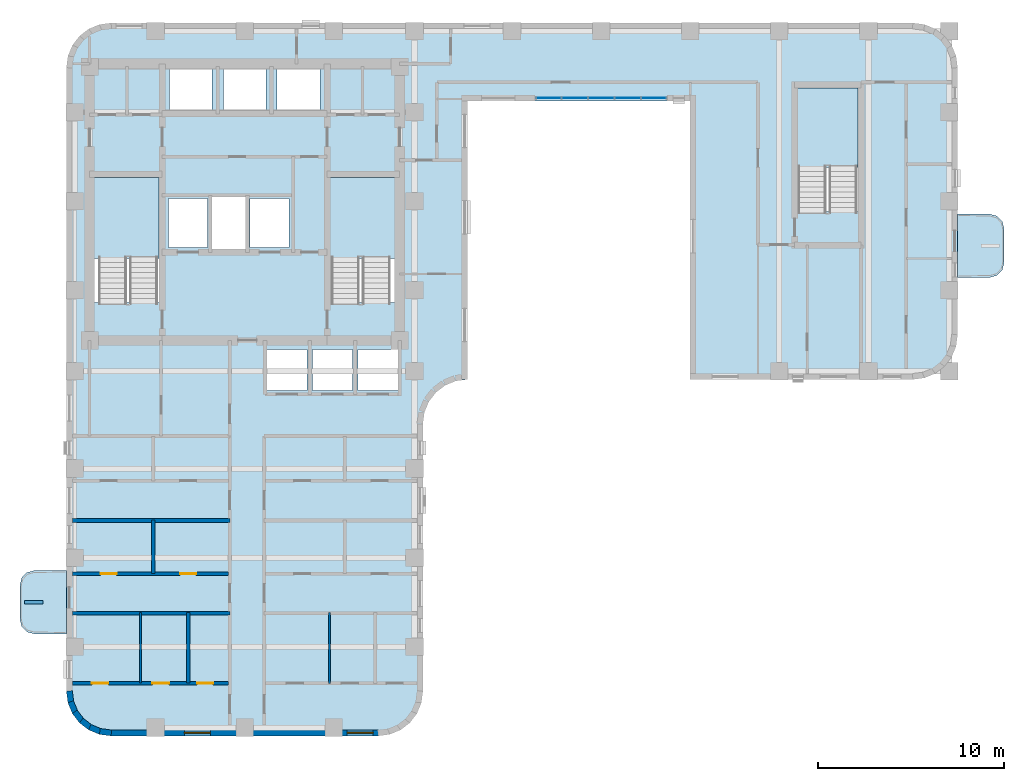
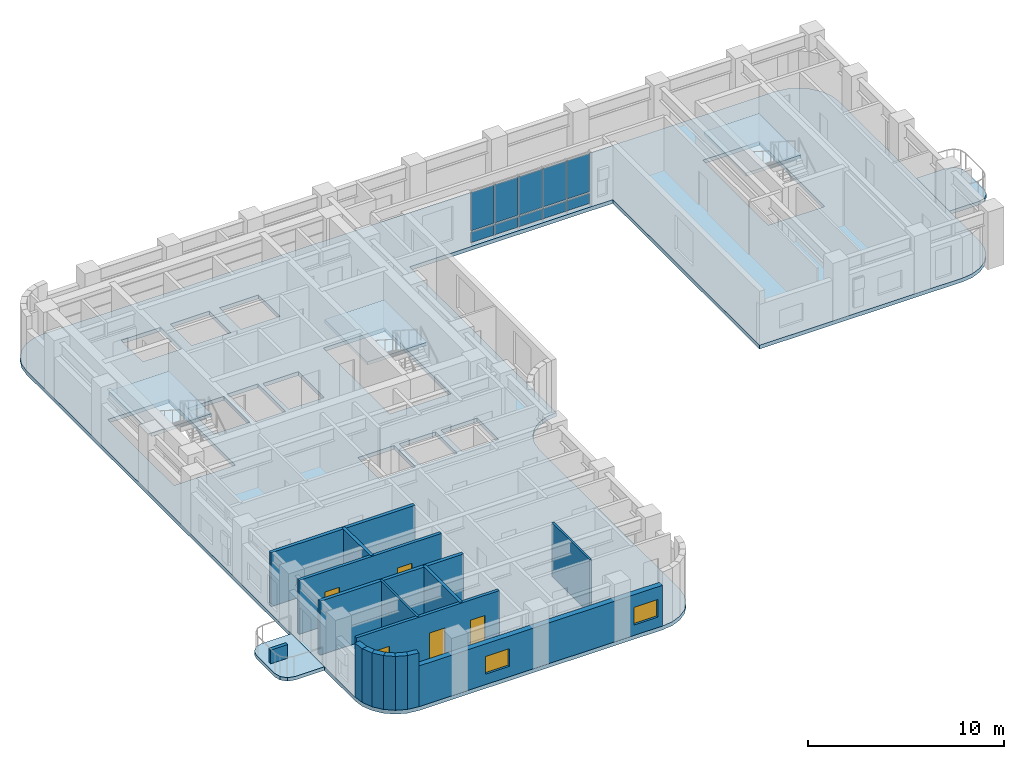
# One storey, part 3 of 11: 16 walls, 10 plates, 6 slabs, 5 doors, 2 windows, 7 openings, 4 elements without a shape of their own.
"""IFC4 building model written with IfcOpenShell, lengths in metres."""

from ifc_helpers import new_model, si_unit, direction, frame, frame_2d, origin, origin_2d, place, context, subcontext, project, spatial, polyline, rectangle, outline, extrude, material, layer, layer_set, type_object, element, fill, aggregate, save


model = new_model("IFC4")

# Units and contexts
model_context = context("Model", 3, precision=1e-05, world=origin(), true_north=direction((0.0, 1.0)))
body_context = subcontext(model_context, "Body", "Model", "MODEL_VIEW")
ifc_project = project(units=[si_unit("LENGTHUNIT", "METRE"), si_unit("AREAUNIT", "SQUARE_METRE"), si_unit("VOLUMEUNIT", "CUBIC_METRE"), si_unit("PLANEANGLEUNIT", "RADIAN"), si_unit("MASSUNIT", "GRAM", prefix="KILO")], contexts=[model_context])

# Site, building, storey
site_placement = place(None, origin())
site = spatial("IfcSite", under=ifc_project, at=site_placement, CompositionType="ELEMENT")
building_placement = place(site_placement, origin())
building = spatial("IfcBuilding", under=site, at=building_placement, Name="Orvandelia Arch Residences", CompositionType="ELEMENT")
storey_placement = place(building_placement, frame((0.0, 0.0, 164.800048828125)))
storey = spatial("IfcBuildingStorey", under=building, at=storey_placement, Name="L43", CompositionType="ELEMENT", Elevation=164.800048828125)

# Curtain wall, plates
ifc_material_1 = material(Name="Anodised Bronze Curtain Wall Assembly")
curtain_wall_type = type_object("IfcCurtainWallType", Name="CW-SYS4-PORTAL", PredefinedType="NOTDEFINED", material=ifc_material_1)
curtain_wall_placement = place(storey_placement, origin())
curtain_wall = element("IfcCurtainWall", 1, at=curtain_wall_placement, inside=storey, type_object=curtain_wall_type, Name="Void-Portal Bridge Curtain Wall L43 1", PredefinedType="NOTDEFINED")
ifc_material_2 = material(Name="Insulated Bronze Aluminium Spandrel Panel", Category="aluminium")
ifc_layer_1 = layer(ifc_material_2, 0.0400390625, Name="Insulated Bronze Aluminium Spandrel Panel", Category="aluminium")
ifc_layer_set_1 = layer_set([ifc_layer_1], Name="Insulated Bronze Aluminium Spandrel Panel")
plate_type_1 = type_object("IfcPlateType", Name="CW-PANEL-SPANDREL", PredefinedType="SHEET", material=ifc_layer_set_1)
plate_1_placement = place(storey_placement, frame((30.77197265625, 43.9599609375, 0.125), z_axis=(0.0, 0.0, 1.0), x_axis=(1.0, 0.0, 0.0)))
plate_1 = element("IfcPlate", 2, at=plate_1_placement, type_object=plate_type_1, Name="Curtain Wall Spandrel Panel CW-L43-1-PS1", PredefinedType="SHEET", context=body_context, shape_type="SweptSolid", body=[
    extrude(rectangle(XDim=1.333984375, YDim=0.0400390625, at=origin_2d()), origin(), (0.0, 0.0, 1.0), 0.62646484375),
])
plate_2_placement = place(storey_placement, frame((32.176025390625, 43.9599609375, 0.125), z_axis=(0.0, 0.0, 1.0), x_axis=(1.0, 0.0, 0.0)))
plate_2 = element("IfcPlate", 3, at=plate_2_placement, type_object=plate_type_1, Name="Curtain Wall Spandrel Panel CW-L43-1-PS2", PredefinedType="SHEET", context=body_context, shape_type="SweptSolid", body=[
    extrude(rectangle(XDim=1.3740234375, YDim=0.0400390625, at=origin_2d()), origin(), (0.0, 0.0, 1.0), 0.62646484375),
])
plate_3_placement = place(storey_placement, frame((33.60009765625, 43.9599609375, 0.125), z_axis=(0.0, 0.0, 1.0), x_axis=(1.0, 0.0, 0.0)))
plate_3 = element("IfcPlate", 4, at=plate_3_placement, type_object=plate_type_1, Name="Curtain Wall Spandrel Panel CW-L43-1-PS3", PredefinedType="SHEET", context=body_context, shape_type="SweptSolid", body=[
    extrude(rectangle(XDim=1.3740234375, YDim=0.0400390625, at=origin_2d()), origin(), (0.0, 0.0, 1.0), 0.62646484375),
])
plate_4_placement = place(storey_placement, frame((35.02392578125, 43.9599609375, 0.125), z_axis=(0.0, 0.0, 1.0), x_axis=(1.0, 0.0, 0.0)))
plate_4 = element("IfcPlate", 5, at=plate_4_placement, type_object=plate_type_1, Name="Curtain Wall Spandrel Panel CW-L43-1-PS4", PredefinedType="SHEET", context=body_context, shape_type="SweptSolid", body=[
    extrude(rectangle(XDim=1.3740234375, YDim=0.0400390625, at=origin_2d()), origin(), (0.0, 0.0, 1.0), 0.62646484375),
])
plate_5_placement = place(storey_placement, frame((36.427978515625, 43.9599609375, 0.125), z_axis=(0.0, 0.0, 1.0), x_axis=(1.0, 0.0, 0.0)))
plate_5 = element("IfcPlate", 6, at=plate_5_placement, type_object=plate_type_1, Name="Curtain Wall Spandrel Panel CW-L43-1-PS5", PredefinedType="SHEET", context=body_context, shape_type="SweptSolid", body=[
    extrude(rectangle(XDim=1.333984375, YDim=0.0400390625, at=origin_2d()), origin(), (0.0, 0.0, 1.0), 0.62646484375),
])
ifc_material_3 = material(Name="Low-E Laminated Double Glazing", Category="glass")
ifc_layer_2 = layer(ifc_material_3, 0.031982421875, Name="Low-E Laminated Double Glazing", Category="glass")
ifc_layer_set_2 = layer_set([ifc_layer_2], Name="Low-E Laminated Double Glazing")
plate_type_2 = type_object("IfcPlateType", Name="CW-PANEL-VISION", PredefinedType="CURTAIN_PANEL", material=ifc_layer_set_2)
plate_6_placement = place(storey_placement, frame((30.77197265625, 43.9599609375, 0.861328125), z_axis=(0.0, 0.0, 1.0), x_axis=(1.0, 0.0, 0.0)))
plate_6 = element("IfcPlate", 7, at=plate_6_placement, type_object=plate_type_2, Name="Curtain Wall Vision Glass Panel CW-L43-1-PV1", PredefinedType="CURTAIN_PANEL", context=body_context, shape_type="SweptSolid", body=[
    extrude(rectangle(XDim=1.333984375, YDim=0.031982421875, at=origin_2d()), origin(), (0.0, 0.0, 1.0), 2.37353515625),
])
plate_7_placement = place(storey_placement, frame((32.176025390625, 43.9599609375, 0.861328125), z_axis=(0.0, 0.0, 1.0), x_axis=(1.0, 0.0, 0.0)))
plate_7 = element("IfcPlate", 8, at=plate_7_placement, type_object=plate_type_2, Name="Curtain Wall Vision Glass Panel CW-L43-1-PV2", PredefinedType="CURTAIN_PANEL", context=body_context, shape_type="SweptSolid", body=[
    extrude(rectangle(XDim=1.3740234375, YDim=0.031982421875, at=origin_2d()), origin(), (0.0, 0.0, 1.0), 2.37353515625),
])
plate_8_placement = place(storey_placement, frame((33.60009765625, 43.9599609375, 0.861328125), z_axis=(0.0, 0.0, 1.0), x_axis=(1.0, 0.0, 0.0)))
plate_8 = element("IfcPlate", 9, at=plate_8_placement, type_object=plate_type_2, Name="Curtain Wall Vision Glass Panel CW-L43-1-PV3", PredefinedType="CURTAIN_PANEL", context=body_context, shape_type="SweptSolid", body=[
    extrude(rectangle(XDim=1.3740234375, YDim=0.031982421875, at=origin_2d()), origin(), (0.0, 0.0, 1.0), 2.37353515625),
])
plate_9_placement = place(storey_placement, frame((35.02392578125, 43.9599609375, 0.861328125), z_axis=(0.0, 0.0, 1.0), x_axis=(1.0, 0.0, 0.0)))
plate_9 = element("IfcPlate", 10, at=plate_9_placement, type_object=plate_type_2, Name="Curtain Wall Vision Glass Panel CW-L43-1-PV4", PredefinedType="CURTAIN_PANEL", context=body_context, shape_type="SweptSolid", body=[
    extrude(rectangle(XDim=1.3740234375, YDim=0.031982421875, at=origin_2d()), origin(), (0.0, 0.0, 1.0), 2.37353515625),
])
plate_10_placement = place(storey_placement, frame((36.427978515625, 43.9599609375, 0.861328125), z_axis=(0.0, 0.0, 1.0), x_axis=(1.0, 0.0, 0.0)))
plate_10 = element("IfcPlate", 11, at=plate_10_placement, type_object=plate_type_2, Name="Curtain Wall Vision Glass Panel CW-L43-1-PV5", PredefinedType="CURTAIN_PANEL", context=body_context, shape_type="SweptSolid", body=[
    extrude(rectangle(XDim=1.333984375, YDim=0.031982421875, at=origin_2d()), origin(), (0.0, 0.0, 1.0), 2.37353515625),
])
aggregate(curtain_wall, [plate_1, plate_6, plate_2, plate_7, plate_3, plate_8, plate_4, plate_9, plate_5, plate_10])

# Slabs
ifc_material_4 = material(Name="Precast concrete C40/50", Category="concrete")
ifc_layer_3 = layer(ifc_material_4, 0.219970703125, Name="Precast concrete C40/50", Category="concrete")
ifc_layer_set_3 = layer_set([ifc_layer_3], Name="Precast concrete C40/50")
slab_type_1 = type_object("IfcSlabType", Name="SLB-BAL-220", PredefinedType="USERDEFINED", material=ifc_layer_set_3)
slab_1_placement = place(storey_placement, frame((0.0, 0.0, -0.219970703125)))
element("IfcSlab", 12, at=slab_1_placement, inside=storey, type_object=slab_type_1, Name="Tree Balcony Cantilever Slab BAL-L43-W1", ObjectType="BALCONY", PredefinedType="USERDEFINED", context=body_context, shape_type="SweptSolid", body=[
    extrude(outline(polyline([(4.800048828125, 15.10009765625), (4.800048828125, 18.5), (3.050048828125, 18.5), (2.675048828125, 18.3994140625), (2.400390625, 18.125), (2.300048828125, 17.75), (2.300048828125, 15.85009765625), (2.400390625, 15.47509765625), (2.675048828125, 15.200439453125), (3.050048828125, 15.10009765625), (4.800048828125, 15.10009765625)])), origin(), (0.0, 0.0, 1.0), 0.219970703125),
])
slab_2_placement = place(storey_placement, frame((0.0, 0.0, -0.219970703125)))
element("IfcSlab", 13, at=slab_2_placement, inside=storey, type_object=slab_type_1, Name="Tree Balcony Cantilever Slab BAL-L43-E1", ObjectType="BALCONY", PredefinedType="USERDEFINED", context=body_context, shape_type="SweptSolid", body=[
    extrude(outline(polyline([(52.800048828125, 37.699951171875), (52.800048828125, 34.300048828125), (54.550048828125, 34.300048828125), (54.925048828125, 34.400390625), (55.199462890625, 34.675048828125), (55.300048828125, 35.050048828125), (55.300048828125, 36.949951171875), (55.199462890625, 37.324951171875), (54.925048828125, 37.599609375), (54.550048828125, 37.699951171875), (52.800048828125, 37.699951171875)])), origin(), (0.0, 0.0, 1.0), 0.219970703125),
])

# Stair, slab
ifc_material_5 = material(Name="Concrete C40/50", Category="concrete")
stair_type = type_object("IfcStairType", Name="STAIR-RC-DOGLEG", PredefinedType="HALF_TURN_STAIR", material=ifc_material_5)
stair_1_placement = place(storey_placement, origin())
stair_1 = element("IfcStair", 14, at=stair_1_placement, inside=storey, type_object=stair_type, Name="L43 Protected Exit Stair ST-1", PredefinedType="HALF_TURN_STAIR")
ifc_layer_4 = layer(ifc_material_5, 0.219970703125, Name="Concrete C40/50", Category="concrete")
ifc_layer_set_4 = layer_set([ifc_layer_4], Name="Concrete C40/50")
slab_type_2 = type_object("IfcSlabType", Name="SLB-LANDING-220", PredefinedType="LANDING", material=ifc_layer_set_4)
slab_3_placement = place(storey_placement, frame((0.0, 0.0, 1.599853515625)))
slab_3 = element("IfcSlab", 15, at=slab_3_placement, type_object=slab_type_2, Name="ST-1 landing 1", PredefinedType="LANDING", context=body_context, shape_type="SweptSolid", body=[
    extrude(outline(polyline([(9.800048828125, 35.31005859375), (9.800048828125, 39.68994140625), (6.260009765625, 39.68994140625), (6.260009765625, 35.31005859375), (9.800048828125, 35.31005859375)])), origin(), (0.0, 0.0, 1.0), 0.2001953125),
])
aggregate(stair_1, [slab_3])

stair_2_placement = place(storey_placement, origin())
stair_2 = element("IfcStair", 16, at=stair_2_placement, inside=storey, type_object=stair_type, Name="L43 Protected Exit Stair ST-2", PredefinedType="HALF_TURN_STAIR")
slab_4_placement = place(storey_placement, frame((0.0, 0.0, 1.599853515625)))
slab_4 = element("IfcSlab", 17, at=slab_4_placement, type_object=slab_type_2, Name="ST-2 landing 1", PredefinedType="LANDING", context=body_context, shape_type="SweptSolid", body=[
    extrude(outline(polyline([(22.5400390625, 35.31005859375), (22.5400390625, 39.68994140625), (19.0, 39.68994140625), (19.0, 35.31005859375), (22.5400390625, 35.31005859375)])), origin(), (0.0, 0.0, 1.0), 0.2001953125),
])
aggregate(stair_2, [slab_4])

stair_3_placement = place(storey_placement, origin())
stair_3 = element("IfcStair", 18, at=stair_3_placement, inside=storey, type_object=stair_type, Name="L43 East Wing Exit Stair ST-3", PredefinedType="HALF_TURN_STAIR")
slab_5_placement = place(storey_placement, frame((0.0, 0.0, 1.599853515625)))
slab_5 = element("IfcSlab", 19, at=slab_5_placement, type_object=slab_type_2, Name="ST-3 landing 1", PredefinedType="LANDING", context=body_context, shape_type="SweptSolid", body=[
    extrude(outline(polyline([(47.43994140625, 40.2099609375), (47.43994140625, 44.5), (44.179931640625, 44.5), (44.179931640625, 40.2099609375), (47.43994140625, 40.2099609375)])), origin(), (0.0, 0.0, 1.0), 0.2001953125),
])
aggregate(stair_3, [slab_5])

# Slab
ifc_layer_5 = layer(ifc_material_5, 0.239990234375, Name="Concrete C40/50", Category="concrete")
ifc_layer_set_5 = layer_set([ifc_layer_5], Name="Concrete C40/50")
slab_type_3 = type_object("IfcSlabType", Name="SLB-TWR-240", PredefinedType="FLOOR", material=ifc_layer_set_5)
slab_6_placement = place(storey_placement, frame((0.0, 0.0, -0.239990234375)))
element("IfcSlab", 20, at=slab_6_placement, inside=storey, type_object=slab_type_3, Name="Structural Floor Slab L43-1", PredefinedType="FLOOR", context=body_context, shape_type="SweptSolid", body=[
    extrude(outline(polyline([(4.800048828125, 12.0), (4.8818359375, 11.37890625), (5.12158203125, 10.800048828125), (5.5029296875, 10.302978515625), (6.0, 9.92138671875), (6.578857421875, 9.681884765625), (7.199951171875, 9.60009765625), (21.60009765625, 9.60009765625), (22.22119140625, 9.681884765625), (22.800048828125, 9.92138671875), (23.297119140625, 10.302978515625), (23.678466796875, 10.800048828125), (23.918212890625, 11.37890625), (24.0, 12.0), (24.0, 26.39990234375), (24.081787109375, 27.021240234375), (24.321533203125, 27.60009765625), (24.702880859375, 28.09716796875), (25.199951171875, 28.478515625), (25.77880859375, 28.71826171875), (26.39990234375, 28.800048828125), (26.39990234375, 43.800048828125), (38.39990234375, 43.800048828125), (38.39990234375, 28.800048828125), (50.39990234375, 28.800048828125), (51.021240234375, 28.8818359375), (51.60009765625, 29.12158203125), (52.09716796875, 29.5029296875), (52.478515625, 30.0), (52.71826171875, 30.578857421875), (52.800048828125, 31.199951171875), (52.800048828125, 45.60009765625), (52.71826171875, 46.22119140625), (52.478515625, 46.800048828125), (52.09716796875, 47.297119140625), (51.60009765625, 47.678466796875), (51.021240234375, 47.918212890625), (50.39990234375, 48.0), (7.199951171875, 48.0), (6.578857421875, 47.918212890625), (6.0, 47.678466796875), (5.5029296875, 47.297119140625), (5.12158203125, 46.800048828125), (4.8818359375, 46.22119140625), (4.800048828125, 45.60009765625), (4.800048828125, 12.0)]), holes=[polyline([(6.219970703125, 32.949951171875), (9.840087890625, 32.949951171875), (9.840087890625, 39.72998046875), (6.219970703125, 39.72998046875), (6.219970703125, 32.949951171875)]), polyline([(18.9599609375, 32.949951171875), (22.580078125, 32.949951171875), (22.580078125, 39.72998046875), (18.9599609375, 39.72998046875), (18.9599609375, 32.949951171875)]), polyline([(44.139892578125, 37.85009765625), (47.47998046875, 37.85009765625), (47.47998046875, 44.5400390625), (44.139892578125, 44.5400390625), (44.139892578125, 37.85009765625)]), polyline([(12.639892578125, 35.81005859375), (14.4599609375, 35.81005859375), (14.4599609375, 38.639892578125), (12.639892578125, 38.639892578125), (12.639892578125, 35.81005859375)]), polyline([(10.300048828125, 35.89990234375), (12.39990234375, 35.89990234375), (12.39990234375, 38.550048828125), (10.300048828125, 38.550048828125), (10.300048828125, 35.89990234375)]), polyline([(14.699951171875, 35.89990234375), (16.800048828125, 35.89990234375), (16.800048828125, 38.550048828125), (14.699951171875, 38.550048828125), (14.699951171875, 35.89990234375)]), polyline([(10.35009765625, 43.300048828125), (12.64990234375, 43.300048828125), (12.64990234375, 45.5), (10.35009765625, 45.5), (10.35009765625, 43.300048828125)]), polyline([(13.25, 43.300048828125), (15.550048828125, 43.300048828125), (15.550048828125, 45.5), (13.25, 45.5), (13.25, 43.300048828125)]), polyline([(16.14990234375, 43.300048828125), (18.449951171875, 43.300048828125), (18.449951171875, 45.5), (16.14990234375, 45.5), (16.14990234375, 43.300048828125)]), polyline([(15.60009765625, 28.199951171875), (17.75, 28.199951171875), (17.75, 30.39990234375), (15.60009765625, 30.39990234375), (15.60009765625, 28.199951171875)]), polyline([(18.050048828125, 28.199951171875), (20.199951171875, 28.199951171875), (20.199951171875, 30.39990234375), (18.050048828125, 30.39990234375), (18.050048828125, 28.199951171875)]), polyline([(20.5, 28.199951171875), (22.64990234375, 28.199951171875), (22.64990234375, 30.39990234375), (20.5, 30.39990234375), (20.5, 28.199951171875)])]), origin(), (0.0, 0.0, 1.0), 0.239990234375),
])

# Walls
ifc_layer_6 = layer(ifc_material_5, 0.199951171875, Name="Concrete C40/50", Category="concrete")
ifc_layer_set_6 = layer_set([ifc_layer_6], Name="Concrete C40/50")
wall_type_1 = type_object("IfcWallType", Name="WL-DEM-200", PredefinedType="SOLIDWALL", material=ifc_layer_set_6)
for number, where, z_axis, x_axis, name in (
    (21, (5.1201171875, 16.199951171875, 0.0), (0.0, 0.0, 1.0), (1.0, 0.0, 0.0), "Interior Partition Wall WL-L43-DEM-WL-162"),
    (22, (5.1201171875, 21.199951171875, 0.0), (0.0, 0.0, 1.0), (1.0, 0.0, 0.0), "Interior Partition Wall WL-L43-DEM-WL-212"),
):
    element("IfcWall", number, at=place(storey_placement, frame(where, z_axis=z_axis, x_axis=x_axis)), inside=storey, type_object=wall_type_1, Name=name, PredefinedType="SOLIDWALL", context=body_context, shape_type="SweptSolid", body=[
        extrude(rectangle(XDim=8.47998046875, YDim=0.199951171875, at=frame_2d((4.239990234375, 0.0))), origin(), (0.0, 0.0, 1.0), 3.35986328125),
    ])

# Wall, openings, windows
ifc_layer_7 = layer(ifc_material_4, 0.320068359375, Name="Precast concrete C40/50", Category="concrete")
ifc_layer_set_7 = layer_set([ifc_layer_7], Name="Precast concrete C40/50")
wall_type_2 = type_object("IfcWallType", Name="WL-EXT-STONE-320", PredefinedType="STANDARD", material=ifc_layer_set_7)
wall_1_placement = place(storey_placement, frame((21.60009765625, 9.760009765625, 0.0), z_axis=(0.0, 0.0, 1.0), x_axis=(-1.0, 0.0, 0.0)))
wall_1 = element("IfcWall", 23, at=wall_1_placement, inside=storey, type_object=wall_type_2, Name="Coral-Limestone Precast Facade Wall L43-039", PredefinedType="STANDARD", context=body_context, shape_type="SweptSolid", body=[
    extrude(rectangle(XDim=14.400146484375, YDim=0.320068359375, at=frame_2d((7.2001953125, 0.0))), origin(), (0.0, 0.0, 1.0), 2.5400390625),
])
opening_1_placement = place(wall_1_placement, frame((0.282470703125, 0.0, 0.64990234375)))
opening_1 = element("IfcOpeningElement", 24, at=opening_1_placement, cuts=wall_1, Name="Opening W10", PredefinedType="OPENING", context=body_context, shape_type="SweptSolid", body=[
    extrude(rectangle(XDim=1.39990234375, YDim=1.10009765625, at=frame_2d((0.699951171875, 0.550048828125))), frame((0.0, 0.169921875, 0.0), z_axis=(0.0, -1.0, 0.0), x_axis=(1.0, 0.0, 0.0)), (0.0, 0.0, 1.0), 0.340087890625),
])
opening_2_placement = place(wall_1_placement, frame((9.052490234375, 0.0, 0.64990234375)))
opening_2 = element("IfcOpeningElement", 25, at=opening_2_placement, cuts=wall_1, Name="Opening W10", PredefinedType="OPENING", context=body_context, shape_type="SweptSolid", body=[
    extrude(rectangle(XDim=1.39990234375, YDim=1.10009765625, at=frame_2d((0.699951171875, 0.550048828125))), frame((0.0, 0.169921875, 0.0), z_axis=(0.0, -1.0, 0.0), x_axis=(1.0, 0.0, 0.0)), (0.0, 0.0, 1.0), 0.340087890625),
])
ifc_material_6 = material(Name="Tempered Low-E Insulated Glazing", Category="glass")
window_type = type_object("IfcWindowType", Name="WIN-CLR-1400x1100", PartitioningType="SINGLE_PANEL", PredefinedType="WINDOW", material=ifc_material_6)
window_1_placement = place(opening_1_placement, origin())
window_1 = element("IfcWindow", 26, at=window_1_placement, inside=storey, type_object=window_type, Name="Recessed Punched Window L43-022", OverallHeight=1.10009765625, OverallWidth=1.39990234375, PartitioningType="SINGLE_PANEL", PredefinedType="WINDOW", context=body_context, shape_type="SweptSolid", body=[
    extrude(rectangle(XDim=1.39990234375, YDim=1.10009765625, at=frame_2d((0.699951171875, 0.550048828125))), frame((0.0, 0.030029296875, 0.0), z_axis=(0.0, -1.0, 0.0), x_axis=(1.0, 0.0, 0.0)), (0.0, 0.0, 1.0), 0.06005859375),
])
fill(opening_1, window_1)
window_2_placement = place(opening_2_placement, origin())
window_2 = element("IfcWindow", 27, at=window_2_placement, inside=storey, type_object=window_type, Name="Recessed Punched Window L43-023", OverallHeight=1.10009765625, OverallWidth=1.39990234375, PartitioningType="SINGLE_PANEL", PredefinedType="WINDOW", context=body_context, shape_type="SweptSolid", body=[
    extrude(rectangle(XDim=1.39990234375, YDim=1.10009765625, at=frame_2d((0.699951171875, 0.550048828125))), frame((0.0, 0.030029296875, 0.0), z_axis=(0.0, -1.0, 0.0), x_axis=(1.0, 0.0, 0.0)), (0.0, 0.0, 1.0), 0.06005859375),
])
fill(opening_2, window_2)

# Walls
wall_2_placement = place(storey_placement, frame((7.220947265625, 9.758544921875, 0.0), z_axis=(0.0, 0.0, 1.0), x_axis=(-0.991447664465, 0.130504898859, 0.0)))
element("IfcWall", 28, at=wall_2_placement, inside=storey, type_object=wall_type_2, Name="Coral-Limestone Precast Facade Wall L43-040", PredefinedType="STANDARD", context=body_context, shape_type="SweptSolid", body=[
    extrude(rectangle(XDim=0.626708984375, YDim=0.320068359375, at=frame_2d((0.3134765625, 0.0))), origin(), (0.0, 0.0, 1.0), 3.35986328125),
])
wall_3_placement = place(storey_placement, frame((6.639892578125, 9.82958984375, 0.0), z_axis=(0.0, 0.0, 1.0), x_axis=(-0.923836271867, 0.382787856107, 0.0)))
element("IfcWall", 29, at=wall_3_placement, inside=storey, type_object=wall_type_2, Name="Coral-Limestone Precast Facade Wall L43-041", PredefinedType="STANDARD", context=body_context, shape_type="SweptSolid", body=[
    extrude(rectangle(XDim=0.626220703125, YDim=0.320068359375, at=frame_2d((0.31298828125, 0.0))), origin(), (0.0, 0.0, 1.0), 3.35986328125),
])
wall_4_placement = place(storey_placement, frame((6.097412109375, 10.04833984375, 0.0), z_axis=(0.0, 0.0, 1.0), x_axis=(-0.793405610854, 0.608693302629, 0.0)))
element("IfcWall", 30, at=wall_4_placement, inside=storey, type_object=wall_type_2, Name="Coral-Limestone Precast Facade Wall L43-042", PredefinedType="STANDARD", context=body_context, shape_type="SweptSolid", body=[
    extrude(rectangle(XDim=0.62646484375, YDim=0.320068359375, at=frame_2d((0.313232421875, 0.0))), origin(), (0.0, 0.0, 1.0), 3.35986328125),
])
wall_5_placement = place(storey_placement, frame((5.6298828125, 10.400390625, 0.0), z_axis=(0.0, 0.0, 1.0), x_axis=(-0.608938521285, 0.7932174212, 0.0)))
element("IfcWall", 31, at=wall_5_placement, inside=storey, type_object=wall_type_2, Name="Coral-Limestone Precast Facade Wall L43-043", PredefinedType="STANDARD", context=body_context, shape_type="SweptSolid", body=[
    extrude(rectangle(XDim=0.626708984375, YDim=0.320068359375, at=frame_2d((0.3134765625, 0.0))), origin(), (0.0, 0.0, 1.0), 3.35986328125),
])
wall_6_placement = place(storey_placement, frame((5.269287109375, 10.861083984375, 0.0), z_axis=(0.0, 0.0, 1.0), x_axis=(-0.382650053678, 0.92389335771, 0.0)))
element("IfcWall", 32, at=wall_6_placement, inside=storey, type_object=wall_type_2, Name="Coral-Limestone Precast Facade Wall L43-044", PredefinedType="STANDARD", context=body_context, shape_type="SweptSolid", body=[
    extrude(rectangle(XDim=0.62646484375, YDim=0.320068359375, at=frame_2d((0.313232421875, 0.0))), origin(), (0.0, 0.0, 1.0), 3.35986328125),
])
wall_7_placement = place(storey_placement, frame((5.040283203125, 11.399658203125, 0.0), z_axis=(0.0, 0.0, 1.0), x_axis=(-0.130504898859, 0.991447664465, 0.0)))
element("IfcWall", 33, at=wall_7_placement, inside=storey, type_object=wall_type_2, Name="Coral-Limestone Precast Facade Wall L43-045", PredefinedType="STANDARD", context=body_context, shape_type="SweptSolid", body=[
    extrude(rectangle(XDim=0.626708984375, YDim=0.320068359375, at=frame_2d((0.3134765625, 0.0))), origin(), (0.0, 0.0, 1.0), 3.35986328125),
])
ifc_material_7 = material(Name="Lightweight Gypsum Stud Partition")
ifc_layer_8 = layer(ifc_material_7, 0.1201171875, Name="Lightweight Gypsum Stud Partition")
ifc_layer_set_8 = layer_set([ifc_layer_8], Name="Lightweight Gypsum Stud Partition")
wall_type_3 = type_object("IfcWallType", Name="WL-PART-120", PredefinedType="PARTITIONING", material=ifc_layer_set_8)
wall_8_placement = place(storey_placement, frame((8.791015625, 12.444091796875, 0.0), z_axis=(0.0, 0.0, 1.0), x_axis=(0.0, 1.0, 0.0)))
element("IfcWall", 34, at=wall_8_placement, inside=storey, type_object=wall_type_3, Name="Interior Partition Wall WL-L43-U01-V1", PredefinedType="PARTITIONING", context=body_context, shape_type="SweptSolid", body=[
    extrude(rectangle(XDim=3.7958984375, YDim=0.1201171875, at=frame_2d((1.89794921875, 0.0))), origin(), (0.0, 0.0, 1.0), 3.35986328125),
])
wall_9_placement = place(storey_placement, frame((18.967041015625, 12.43408203125, 0.0), z_axis=(0.0, 0.0, 1.0), x_axis=(0.0, 1.0, 0.0)))
element("IfcWall", 35, at=wall_9_placement, inside=storey, type_object=wall_type_3, Name="Interior Partition Wall WL-L43-U04-V1", PredefinedType="PARTITIONING", context=body_context, shape_type="SweptSolid", body=[
    extrude(rectangle(XDim=3.805908203125, YDim=0.1201171875, at=frame_2d((1.90283203125, 0.0))), origin(), (0.0, 0.0, 1.0), 3.35986328125),
])
ifc_layer_9 = layer(ifc_material_4, 0.199951171875, Name="Precast concrete C40/50", Category="concrete")
ifc_layer_set_9 = layer_set([ifc_layer_9], Name="Precast concrete C40/50")
wall_type_4 = type_object("IfcWallType", Name="WL-PLANTER-200", PredefinedType="MOVABLE", material=ifc_layer_set_9)
wall_10_placement = place(storey_placement, frame((2.550048828125, 16.800048828125, 0.0), z_axis=(0.0, 0.0, 1.0), x_axis=(1.0, 0.0, 0.0)))
element("IfcWall", 36, at=wall_10_placement, inside=storey, type_object=wall_type_4, Name="Balcony Precast Tree Planter BAL-L43-W1", PredefinedType="MOVABLE", context=body_context, shape_type="SweptSolid", body=[
    extrude(rectangle(XDim=1.0, YDim=0.199951171875, at=frame_2d((0.5, 0.0))), origin(), (0.0, 0.0, 1.0), 0.849853515625),
])

# Wall, openings, doors
ifc_material_8 = material(Name="Moisture-Resistant Plumbing Wall")
ifc_layer_10 = layer(ifc_material_8, 0.179931640625, Name="Moisture-Resistant Plumbing Wall")
ifc_layer_set_10 = layer_set([ifc_layer_10], Name="Moisture-Resistant Plumbing Wall")
wall_type_5 = type_object("IfcWallType", Name="WL-WET-180", PredefinedType="PLUMBINGWALL", material=ifc_layer_set_10)
wall_11_placement = place(storey_placement, frame((5.1201171875, 12.444091796875, 0.0), z_axis=(0.0, 0.0, 1.0), x_axis=(1.0, 0.0, 0.0)))
wall_11 = element("IfcWall", 37, at=wall_11_placement, inside=storey, type_object=wall_type_5, Name="Interior Partition Wall WL-L43-U01-HZ", PredefinedType="PLUMBINGWALL", context=body_context, shape_type="SweptSolid", body=[
    extrude(rectangle(XDim=8.419921875, YDim=0.179931640625, at=frame_2d((4.2099609375, 0.0))), origin(), (0.0, 0.0, 1.0), 3.35986328125),
])
opening_3_placement = place(wall_11_placement, frame((1.04638671875, 0.0, 0.0)))
opening_3 = element("IfcOpeningElement", 38, at=opening_3_placement, cuts=wall_11, Name="Opening D3", PredefinedType="OPENING", context=body_context, shape_type="SweptSolid", body=[
    extrude(rectangle(XDim=0.89990234375, YDim=2.14990234375, at=frame_2d((0.449951171875, 1.074951171875))), frame((0.0, 0.10009765625, 0.0), z_axis=(0.0, -1.0, 0.0), x_axis=(1.0, 0.0, 0.0)), (0.0, 0.0, 1.0), 0.199951171875),
])
opening_4_placement = place(wall_11_placement, frame((4.307373046875, 0.0, 0.0)))
opening_4 = element("IfcOpeningElement", 39, at=opening_4_placement, cuts=wall_11, Name="Opening D3", PredefinedType="OPENING", context=body_context, shape_type="SweptSolid", body=[
    extrude(rectangle(XDim=0.89990234375, YDim=2.14990234375, at=frame_2d((0.449951171875, 1.074951171875))), frame((0.0, 0.10009765625, 0.0), z_axis=(0.0, -1.0, 0.0), x_axis=(1.0, 0.0, 0.0)), (0.0, 0.0, 1.0), 0.199951171875),
])
opening_5_placement = place(wall_11_placement, frame((6.723388671875, 0.0, 0.0)))
opening_5 = element("IfcOpeningElement", 40, at=opening_5_placement, cuts=wall_11, Name="Opening D4", PredefinedType="OPENING", context=body_context, shape_type="SweptSolid", body=[
    extrude(rectangle(XDim=0.860107421875, YDim=2.10009765625, at=frame_2d((0.43017578125, 1.050048828125))), frame((0.0, 0.10009765625, 0.0), z_axis=(0.0, -1.0, 0.0), x_axis=(1.0, 0.0, 0.0)), (0.0, 0.0, 1.0), 0.199951171875),
])
ifc_material_9 = material(Name="Engineered Timber Flush Door", Category="wood")
door_type_1 = type_object("IfcDoorType", Name="DR-INT-900", OperationType="NOTDEFINED", PredefinedType="DOOR", material=ifc_material_9)
door_1_placement = place(opening_3_placement, origin())
door_1 = element("IfcDoor", 41, at=door_1_placement, inside=storey, type_object=door_type_1, Name="DR-L43-U01-BD1", OperationType="SINGLE_SWING_LEFT", OverallHeight=2.14990234375, OverallWidth=0.89990234375, PredefinedType="DOOR", context=body_context, shape_type="SweptSolid", body=[
    extrude(rectangle(XDim=0.89990234375, YDim=2.14990234375, at=frame_2d((0.449951171875, 1.074951171875))), frame((0.0, 0.02490234375, 0.0), z_axis=(0.0, -1.0, 0.0), x_axis=(1.0, 0.0, 0.0)), (0.0, 0.0, 1.0), 0.050048828125),
])
fill(opening_3, door_1)
door_2_placement = place(opening_4_placement, origin())
door_2 = element("IfcDoor", 42, at=door_2_placement, inside=storey, type_object=door_type_1, Name="DR-L43-U01-KIT", OperationType="SINGLE_SWING_RIGHT", OverallHeight=2.14990234375, OverallWidth=0.89990234375, PredefinedType="DOOR", context=body_context, shape_type="SweptSolid", body=[
    extrude(rectangle(XDim=0.89990234375, YDim=2.14990234375, at=frame_2d((0.449951171875, 1.074951171875))), frame((0.0, 0.02490234375, 0.0), z_axis=(0.0, -1.0, 0.0), x_axis=(1.0, 0.0, 0.0)), (0.0, 0.0, 1.0), 0.050048828125),
])
fill(opening_4, door_2)
ifc_material_10 = material(Name="Moisture-Sealed Timber Bathroom Door", Category="wood")
door_type_2 = type_object("IfcDoorType", Name="DR-WET-900", OperationType="NOTDEFINED", PredefinedType="DOOR", material=ifc_material_10)
door_3_placement = place(opening_5_placement, origin())
door_3 = element("IfcDoor", 43, at=door_3_placement, inside=storey, type_object=door_type_2, Name="DR-L43-U01-BTH", OperationType="SINGLE_SWING_LEFT", OverallHeight=2.10009765625, OverallWidth=0.860107421875, PredefinedType="DOOR", context=body_context, shape_type="SweptSolid", body=[
    extrude(rectangle(XDim=0.860107421875, YDim=2.10009765625, at=frame_2d((0.43017578125, 1.050048828125))), frame((0.0, 0.02490234375, 0.0), z_axis=(0.0, -1.0, 0.0), x_axis=(1.0, 0.0, 0.0)), (0.0, 0.0, 1.0), 0.050048828125),
])
fill(opening_5, door_3)

# Wall
wall_12_placement = place(storey_placement, frame((11.35498046875, 12.444091796875, 0.0), z_axis=(0.0, 0.0, 1.0), x_axis=(0.0, 1.0, 0.0)))
element("IfcWall", 44, at=wall_12_placement, inside=storey, type_object=wall_type_5, Name="Interior Partition Wall WL-L43-U01-V2", PredefinedType="PLUMBINGWALL", context=body_context, shape_type="SweptSolid", body=[
    extrude(rectangle(XDim=3.7958984375, YDim=0.179931640625, at=frame_2d((1.89794921875, 0.0))), origin(), (0.0, 0.0, 1.0), 3.35986328125),
])

# Wall, openings, doors
wall_13_placement = place(storey_placement, frame((5.1201171875, 18.340087890625, 0.0), z_axis=(0.0, 0.0, 1.0), x_axis=(1.0, 0.0, 0.0)))
wall_13 = element("IfcWall", 45, at=wall_13_placement, inside=storey, type_object=wall_type_5, Name="Interior Partition Wall WL-L43-U02-HZ", PredefinedType="PLUMBINGWALL", context=body_context, shape_type="SweptSolid", body=[
    extrude(rectangle(XDim=8.419921875, YDim=0.179931640625, at=frame_2d((4.2099609375, 0.0))), origin(), (0.0, 0.0, 1.0), 3.35986328125),
])
opening_6_placement = place(wall_13_placement, frame((1.52001953125, 0.0, 0.0)))
opening_6 = element("IfcOpeningElement", 46, at=opening_6_placement, cuts=wall_13, Name="Opening D4", PredefinedType="OPENING", context=body_context, shape_type="SweptSolid", body=[
    extrude(rectangle(XDim=0.860107421875, YDim=2.10009765625, at=frame_2d((0.43017578125, 1.050048828125))), frame((0.0, 0.10009765625, 0.0), z_axis=(0.0, -1.0, 0.0), x_axis=(1.0, 0.0, 0.0)), (0.0, 0.0, 1.0), 0.199951171875),
])
opening_7_placement = place(wall_13_placement, frame((5.81005859375, 0.0, 0.0)))
opening_7 = element("IfcOpeningElement", 47, at=opening_7_placement, cuts=wall_13, Name="Opening D4", PredefinedType="OPENING", context=body_context, shape_type="SweptSolid", body=[
    extrude(rectangle(XDim=0.860107421875, YDim=2.10009765625, at=frame_2d((0.43017578125, 1.050048828125))), frame((0.0, 0.10009765625, 0.0), z_axis=(0.0, -1.0, 0.0), x_axis=(1.0, 0.0, 0.0)), (0.0, 0.0, 1.0), 0.199951171875),
])
door_4_placement = place(opening_6_placement, origin())
door_4 = element("IfcDoor", 48, at=door_4_placement, inside=storey, type_object=door_type_2, Name="DR-L43-U02-KIT", OperationType="SINGLE_SWING_RIGHT", OverallHeight=2.10009765625, OverallWidth=0.860107421875, PredefinedType="DOOR", context=body_context, shape_type="SweptSolid", body=[
    extrude(rectangle(XDim=0.860107421875, YDim=2.10009765625, at=frame_2d((0.43017578125, 1.050048828125))), frame((0.0, 0.02490234375, 0.0), z_axis=(0.0, -1.0, 0.0), x_axis=(1.0, 0.0, 0.0)), (0.0, 0.0, 1.0), 0.050048828125),
])
fill(opening_6, door_4)
door_5_placement = place(opening_7_placement, origin())
door_5 = element("IfcDoor", 49, at=door_5_placement, inside=storey, type_object=door_type_2, Name="DR-L43-U02-BTH", OperationType="SINGLE_SWING_LEFT", OverallHeight=2.10009765625, OverallWidth=0.860107421875, PredefinedType="DOOR", context=body_context, shape_type="SweptSolid", body=[
    extrude(rectangle(XDim=0.860107421875, YDim=2.10009765625, at=frame_2d((0.43017578125, 1.050048828125))), frame((0.0, 0.02490234375, 0.0), z_axis=(0.0, -1.0, 0.0), x_axis=(1.0, 0.0, 0.0)), (0.0, 0.0, 1.0), 0.050048828125),
])
fill(opening_7, door_5)

# Wall
wall_14_placement = place(storey_placement, frame((9.469970703125, 18.340087890625, 0.0), z_axis=(0.0, 0.0, 1.0), x_axis=(0.0, 1.0, 0.0)))
element("IfcWall", 50, at=wall_14_placement, inside=storey, type_object=wall_type_5, Name="Interior Partition Wall WL-L43-U02-V1", PredefinedType="PLUMBINGWALL", context=body_context, shape_type="SweptSolid", body=[
    extrude(rectangle(XDim=2.89990234375, YDim=0.179931640625, at=frame_2d((1.449951171875, 0.0))), origin(), (0.0, 0.0, 1.0), 3.35986328125),
])

save(model, "model.ifc")
